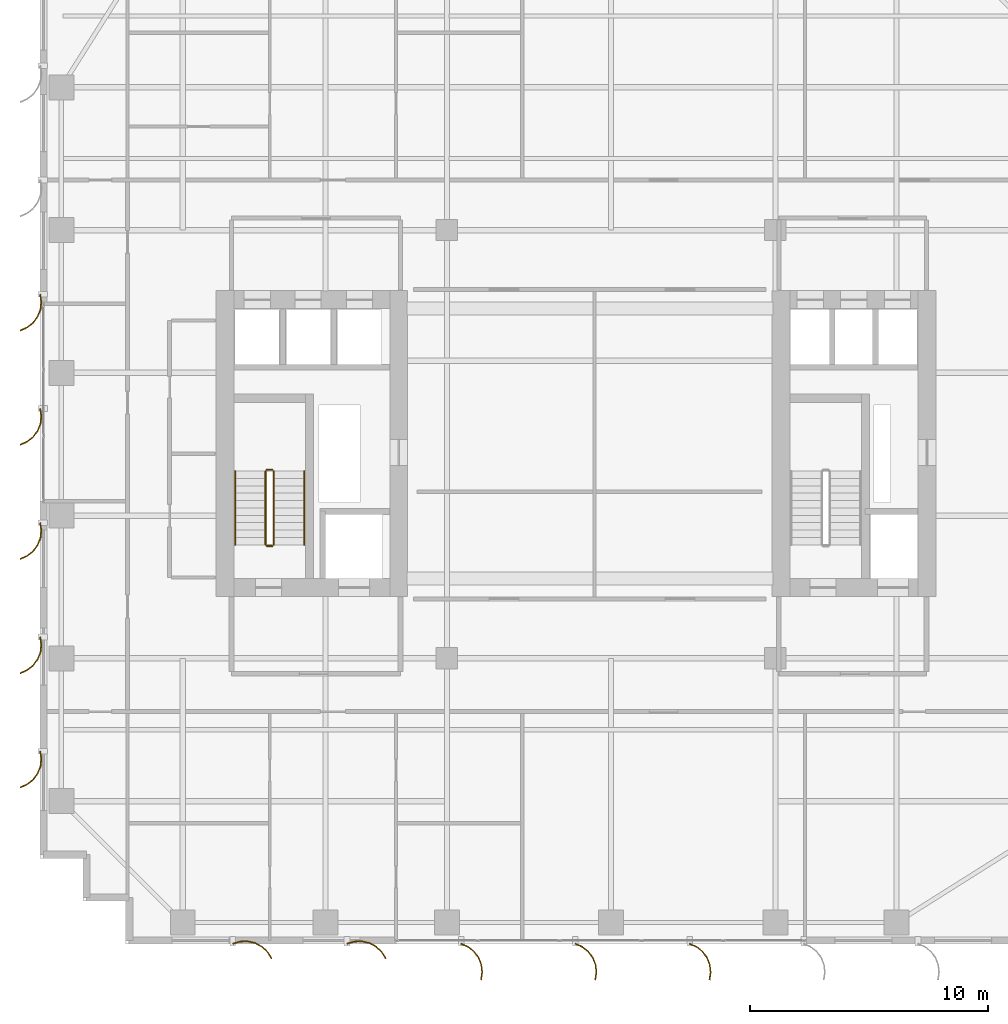
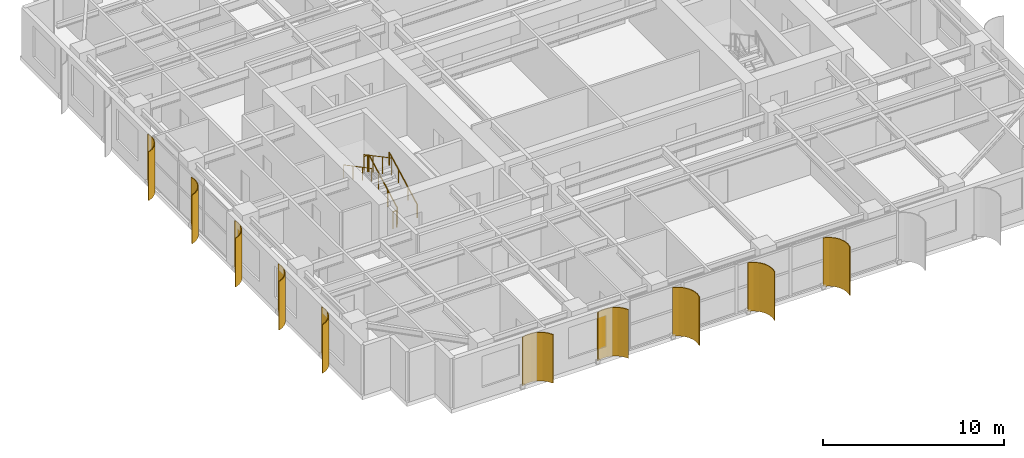
# One storey, part 24 of 26: 10 shading devices, 6 railings.
"""IFC4 building model written with IfcOpenShell, lengths in metres."""

from ifc_helpers import new_model, si_unit, direction, frame, origin, origin_2d, place, context, subcontext, project, spatial, polyline, circle, outline, extrude, source, transform, mapped, material, layer, layer_set, type_object, element, save


model = new_model("IFC4")

# Units and contexts
model_context = context("Model", 3, precision=1e-05, world=origin(), true_north=direction((0.0, 1.0)))
body_context = subcontext(model_context, "Body", "Model", "MODEL_VIEW")
ifc_project = project(units=[si_unit("LENGTHUNIT", "METRE"), si_unit("AREAUNIT", "SQUARE_METRE"), si_unit("VOLUMEUNIT", "CUBIC_METRE"), si_unit("PLANEANGLEUNIT", "RADIAN"), si_unit("MASSUNIT", "GRAM", prefix="KILO")], contexts=[model_context])

# Site, building, storey
site_placement = place(None, origin())
site = spatial("IfcSite", under=ifc_project, at=site_placement, CompositionType="ELEMENT")
building_placement = place(site_placement, origin())
building = spatial("IfcBuilding", under=site, at=building_placement, Name="Khoralis Quay Care Tower", CompositionType="ELEMENT")
storey_placement = place(building_placement, frame((0.0, 0.0, 126.89990234375)))
storey = spatial("IfcBuildingStorey", under=building, at=storey_placement, Name="L33", CompositionType="ELEMENT", Elevation=126.89990234375)

# Railings
ifc_material_1 = material(Name="Brushed stainless steel", Category="steel")
railing_type_1 = type_object("IfcRailingType", Name="RL-GUARD-1150", PredefinedType="GUARDRAIL", material=ifc_material_1)
railing_1_placement = place(storey_placement, frame((9.820068359375, 16.77001953125, 0.163818359375)))
element("IfcRailing", 1, at=railing_1_placement, inside=storey, type_object=railing_type_1, Name="L33 ST-T1 stair guard 1", PredefinedType="GUARDRAIL", context=body_context, shape_type="SweptSolid", body=[
    extrude(circle(Radius=0.02392578125, at=origin_2d()), frame((0.0, 0.0, 1.1259765625), z_axis=(0.0, 0.884376766648, 0.46677375099), x_axis=(-1.0, 0.0, 0.0)), (0.0, 0.0, 1.0), 3.50537109375),
    extrude(circle(Radius=0.02099609375, at=origin_2d()), origin(), (0.0, 0.0, 1.0), 1.101806640625),
    extrude(circle(Radius=0.02099609375, at=origin_2d()), frame((0.0, 1.033447265625, 0.54541015625)), (0.0, 0.0, 1.0), 1.101806640625),
    extrude(circle(Radius=0.02099609375, at=origin_2d()), frame((0.0, 2.066650390625, 1.0908203125)), (0.0, 0.0, 1.0), 1.101806640625),
    extrude(circle(Radius=0.02099609375, at=origin_2d()), frame((0.0, 3.10009765625, 1.63623046875)), (0.0, 0.0, 1.0), 1.101806640625),
])
railing_2_placement = place(storey_placement, frame((9.77001953125, 19.919921875, 1.800048828125)))
element("IfcRailing", 2, at=railing_2_placement, inside=storey, type_object=railing_type_1, Name="L33 ST-T1 stair guard 2", PredefinedType="GUARDRAIL", context=body_context, shape_type="SweptSolid", body=[
    extrude(circle(Radius=0.02392578125, at=origin_2d()), frame((0.0, 0.0, 1.1259765625), z_axis=(-1.0, 0.0, 0.0), x_axis=(0.0, -1.0, 0.0)), (0.0, 0.0, 1.0), 0.239990234375),
    extrude(circle(Radius=0.02099609375, at=origin_2d()), origin(), (0.0, 0.0, 1.0), 1.101806640625),
    extrude(circle(Radius=0.02099609375, at=origin_2d()), frame((-0.239990234375, 0.0, 0.0)), (0.0, 0.0, 1.0), 1.101806640625),
])
railing_3_placement = place(storey_placement, frame((9.47998046875, 19.8701171875, 1.963623046875)))
element("IfcRailing", 3, at=railing_3_placement, inside=storey, type_object=railing_type_1, Name="L33 ST-T1 stair guard 3", PredefinedType="GUARDRAIL", context=body_context, shape_type="SweptSolid", body=[
    extrude(circle(Radius=0.02392578125, at=origin_2d()), frame((0.0, 0.0, 1.1259765625), z_axis=(0.0, -0.884348015382, 0.466828220752), x_axis=(1.0, 0.0, 0.0)), (0.0, 0.0, 1.0), 3.505615234375),
    extrude(circle(Radius=0.02099609375, at=origin_2d()), origin(), (0.0, 0.0, 1.0), 1.101806640625),
    extrude(circle(Radius=0.02099609375, at=origin_2d()), frame((0.0, -1.033447265625, 0.54541015625)), (0.0, 0.0, 1.0), 1.101806640625),
    extrude(circle(Radius=0.02099609375, at=origin_2d()), frame((0.0, -2.066650390625, 1.091064453125)), (0.0, 0.0, 1.0), 1.101806640625),
    extrude(circle(Radius=0.02099609375, at=origin_2d()), frame((0.0, -3.10009765625, 1.636474609375)), (0.0, 0.0, 1.0), 1.101806640625),
])
railing_4_placement = place(storey_placement, frame((9.77001953125, 16.719970703125, 0.0)))
element("IfcRailing", 4, at=railing_4_placement, inside=storey, type_object=railing_type_1, Name="L33 ST-T1 stair guard 4", PredefinedType="GUARDRAIL", context=body_context, shape_type="SweptSolid", body=[
    extrude(circle(Radius=0.02392578125, at=origin_2d()), frame((0.0, 0.0, 1.1259765625), z_axis=(-1.0, 0.0, 0.0), x_axis=(0.0, -1.0, 0.0)), (0.0, 0.0, 1.0), 0.239990234375),
    extrude(circle(Radius=0.02099609375, at=origin_2d()), origin(), (0.0, 0.0, 1.0), 1.101806640625),
    extrude(circle(Radius=0.02099609375, at=origin_2d()), frame((-0.239990234375, 0.0, 0.0)), (0.0, 0.0, 1.0), 1.101806640625),
])
railing_type_2 = type_object("IfcRailingType", Name="RL-HAND-900", PredefinedType="HANDRAIL", material=ifc_material_1)
railing_5_placement = place(storey_placement, frame((11.10009765625, 16.77001953125, 0.163818359375)))
element("IfcRailing", 5, at=railing_5_placement, inside=storey, type_object=railing_type_2, Name="L33 ST-T1 stair handrail 1", PredefinedType="HANDRAIL", context=body_context, shape_type="SweptSolid", body=[
    extrude(circle(Radius=0.02392578125, at=origin_2d()), frame((0.0, 0.0, 0.8759765625), z_axis=(0.0, 0.884376766648, 0.46677375099), x_axis=(-1.0, 0.0, 0.0)), (0.0, 0.0, 1.0), 3.50537109375),
    extrude(circle(Radius=0.02099609375, at=origin_2d()), origin(), (0.0, 0.0, 1.0), 0.851806640625),
    extrude(circle(Radius=0.02099609375, at=origin_2d()), frame((0.0, 1.033447265625, 0.54541015625)), (0.0, 0.0, 1.0), 0.851806640625),
    extrude(circle(Radius=0.02099609375, at=origin_2d()), frame((0.0, 2.066650390625, 1.0908203125)), (0.0, 0.0, 1.0), 0.851806640625),
    extrude(circle(Radius=0.02099609375, at=origin_2d()), frame((0.0, 3.10009765625, 1.63623046875)), (0.0, 0.0, 1.0), 0.851806640625),
])
railing_6_placement = place(storey_placement, frame((8.199951171875, 19.8701171875, 1.963623046875)))
element("IfcRailing", 6, at=railing_6_placement, inside=storey, type_object=railing_type_2, Name="L33 ST-T1 stair handrail 2", PredefinedType="HANDRAIL", context=body_context, shape_type="SweptSolid", body=[
    extrude(circle(Radius=0.02392578125, at=origin_2d()), frame((0.0, 0.0, 0.8759765625), z_axis=(0.0, -0.884348015382, 0.466828220752), x_axis=(1.0, 0.0, 0.0)), (0.0, 0.0, 1.0), 3.505615234375),
    extrude(circle(Radius=0.02099609375, at=origin_2d()), origin(), (0.0, 0.0, 1.0), 0.851806640625),
    extrude(circle(Radius=0.02099609375, at=origin_2d()), frame((0.0, -1.033447265625, 0.54541015625)), (0.0, 0.0, 1.0), 0.851806640625),
    extrude(circle(Radius=0.02099609375, at=origin_2d()), frame((0.0, -2.066650390625, 1.091064453125)), (0.0, 0.0, 1.0), 0.851806640625),
    extrude(circle(Radius=0.02099609375, at=origin_2d()), frame((0.0, -3.10009765625, 1.636474609375)), (0.0, 0.0, 1.0), 0.851806640625),
])

# Shading devices
ifc_material_2 = material(Name="Brushed pale anodised aluminium", Category="aluminium")
ifc_layer = layer(ifc_material_2, 0.044921875)
ifc_layer_set = layer_set([ifc_layer], Name="Brushed pale anodised aluminium")
shading_device_type = type_object("IfcShadingDeviceType", Name="SHD-FIN-1250", PredefinedType="USERDEFINED", material=ifc_layer_set)
shared_shape_1 = source(origin(), body_context, "Body", "SweptSolid", [
    extrude(outline(polyline([(0.0, 0.0), (-0.04833984375, 0.32275390625), (-0.01123046875, 0.64697265625), (0.1083984375, 0.950439453125), (0.302490234375, 1.212890625), (0.557861328125, 1.416015625), (0.85693359375, 1.546142578125), (0.869384765625, 1.5029296875), (0.5810546875, 1.37744140625), (0.334716796875, 1.181640625), (0.147705078125, 0.9287109375), (0.032470703125, 0.635986328125), (-0.003173828125, 0.323486328125), (0.043212890625, 0.012451171875), (0.0, 0.0)])), origin(), (0.0, 0.0, 1.0), 3.280029296875),
])
for number, where, z_axis, x_axis, name in (
    (7, (0.030029296875, 27.300048828125, 0.02001953125), (0.0, 0.0, 1.0), (-1.0, 0.0, 0.0), "L33 Curved Solar Fin P1E15-03"),
    (8, (0.030029296875, 22.5, 0.02001953125), (0.0, 0.0, 1.0), (-1.0, 0.0, 0.0), "L33 Curved Solar Fin P1E15-04"),
    (9, (0.030029296875, 17.699951171875, 0.02001953125), (0.0, 0.0, 1.0), (-1.0, 0.0, 0.0), "L33 Curved Solar Fin P1E15-05"),
    (10, (0.030029296875, 12.89990234375, 0.02001953125), (0.0, 0.0, 1.0), (-1.0, 0.0, 0.0), "L33 Curved Solar Fin P1E15-06"),
    (11, (0.030029296875, 8.10009765625, 0.02001953125), (0.0, 0.0, 1.0), (-1.0, 0.0, 0.0), "L33 Curved Solar Fin P1E15-07"),
):
    element("IfcShadingDevice", number, at=place(storey_placement, frame(where, z_axis=z_axis, x_axis=x_axis)), inside=storey, type_object=shading_device_type, Name=name, ObjectType="FIN", PredefinedType="USERDEFINED", context=body_context, shape_type="MappedRepresentation", body=[
        mapped(shared_shape_1, transform((0.0, 0.0, 0.0), scale=1.0)),
    ])
shared_shape_2 = source(origin(), body_context, "Body", "SweptSolid", [
    extrude(outline(polyline([(0.0, 0.0), (-0.0927734375, 0.31298828125), (-0.101318359375, 0.63916015625), (-0.025146484375, 0.956298828125), (0.130615234375, 1.2431640625), (0.355224609375, 1.479736328125), (0.633544921875, 1.650390625), (0.65185546875, 1.609130859375), (0.383544921875, 1.44482421875), (0.1669921875, 1.216796875), (0.01708984375, 0.940185546875), (-0.056396484375, 0.63427734375), (-0.04833984375, 0.31982421875), (0.041015625, 0.018310546875), (0.0, 0.0)])), origin(), (0.0, 0.0, 1.0), 3.280029296875),
])
for number, where, z_axis, x_axis, name in (
    (12, (8.10009765625, 0.030029296875, 0.02001953125), (0.0, 0.0, 1.0), (0.0, -1.0, 0.0), "L33 Curved Solar Fin P1E0-01"),
    (13, (12.89990234375, 0.030029296875, 0.02001953125), (0.0, 0.0, 1.0), (0.0, -1.0, 0.0), "L33 Curved Solar Fin P1E0-02"),
):
    element("IfcShadingDevice", number, at=place(storey_placement, frame(where, z_axis=z_axis, x_axis=x_axis)), inside=storey, type_object=shading_device_type, Name=name, ObjectType="FIN", PredefinedType="USERDEFINED", context=body_context, shape_type="MappedRepresentation", body=[
        mapped(shared_shape_2, transform((0.0, 0.0, 0.0), scale=1.0)),
    ])
shared_shape_3 = source(origin(), body_context, "Body", "SweptSolid", [
    extrude(outline(polyline([(0.0, 0.0), (0.130126953125, 0.29931640625), (0.333251953125, 0.5546875), (0.595458984375, 0.748779296875), (0.899169921875, 0.868408203125), (1.223388671875, 0.9052734375), (1.546142578125, 0.85693359375), (1.53369140625, 0.813720703125), (1.22265625, 0.8603515625), (0.91015625, 0.82470703125), (0.617431640625, 0.70947265625), (0.364501953125, 0.522216796875), (0.168701171875, 0.276123046875), (0.043212890625, -0.012451171875), (0.0, 0.0)])), origin(), (0.0, 0.0, 1.0), 3.280029296875),
])
for number, where, z_axis, x_axis, name in (
    (14, (17.699951171875, 0.030029296875, 0.02001953125), (0.0, 0.0, 1.0), (0.0, -1.0, 0.0), "L33 Curved Solar Fin P1E0-03"),
    (15, (22.5, 0.030029296875, 0.02001953125), (0.0, 0.0, 1.0), (0.0, -1.0, 0.0), "L33 Curved Solar Fin P1E0-04"),
    (16, (27.300048828125, 0.030029296875, 0.02001953125), (0.0, 0.0, 1.0), (0.0, -1.0, 0.0), "L33 Curved Solar Fin P1E0-05"),
):
    element("IfcShadingDevice", number, at=place(storey_placement, frame(where, z_axis=z_axis, x_axis=x_axis)), inside=storey, type_object=shading_device_type, Name=name, ObjectType="FIN", PredefinedType="USERDEFINED", context=body_context, shape_type="MappedRepresentation", body=[
        mapped(shared_shape_3, transform((0.0, 0.0, 0.0), scale=1.0)),
    ])

save(model, "model.ifc")
